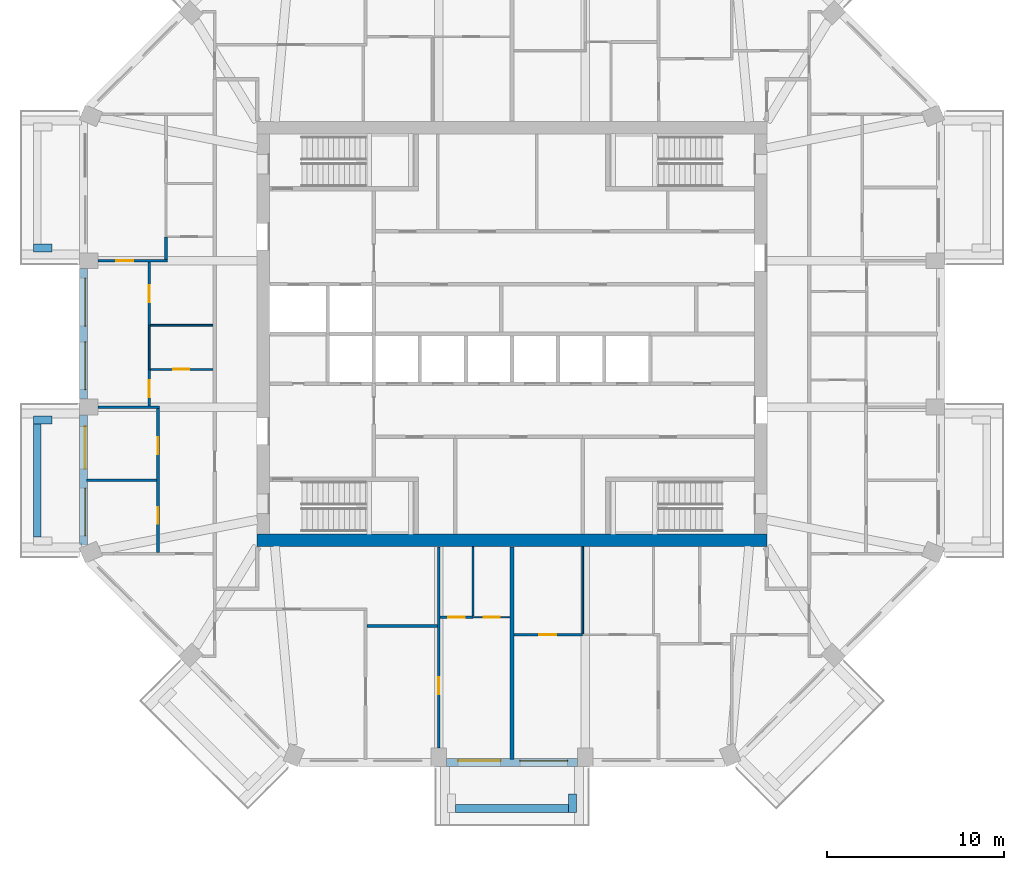
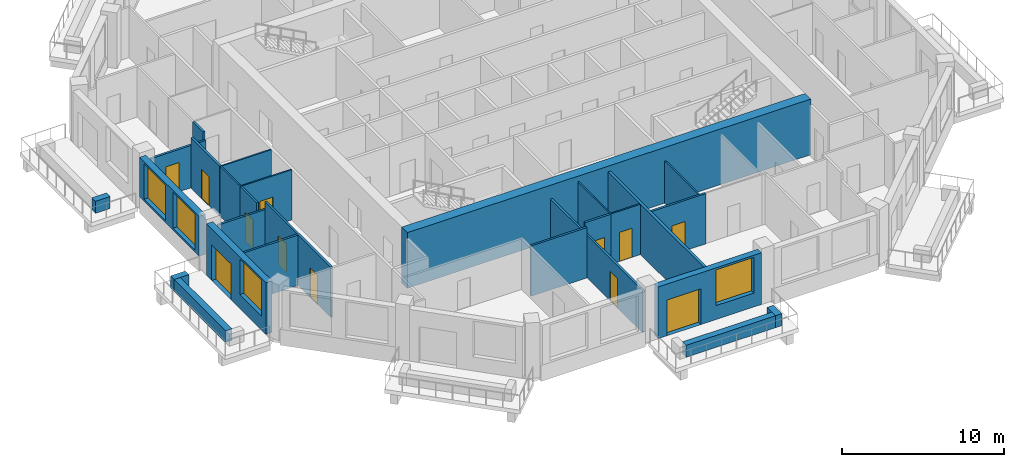
# One storey, part 3 of 12: 27 walls, 12 doors, 4 windows, 16 openings.
"""IFC4 building model written with IfcOpenShell, lengths in metres."""

import ifcopenshell
import ifcopenshell.guid

model = None  # the IFC model being written
_history = None  # IfcOwnerHistory: only IFC2X3 demands one
_inside = {}  # id of a spatial element -> (the spatial element, [elements in it])
_under = {}  # id of a project, library or spatial element -> (it, [spatial elements below it])
_declared = {}  # id of a project -> (the project, [libraries it declares])
_typed = {}  # id of a type object -> (the type object, [elements of that type])
_made_of = {}  # id of a material, layer set ... -> (it, [elements and type objects made of it])


def new_model(schema):
    """Start an empty IFC model of exactly this schema.

    Asked for "IFC4X3", IfcOpenShell would pick the latest addendum, in which some entities
    have other attributes; the version numbers below select the first issue.
    IFC2X3 requires an IfcOwnerHistory on every rooted entity: one is made here for all.
    """
    global model, _history
    if schema == "IFC4X3":
        model = ifcopenshell.file(schema_version=(4, 3, 0, 0))
    else:
        model = ifcopenshell.file(schema=schema)
    _inside.clear()
    _under.clear()
    _declared.clear()
    _typed.clear()
    _made_of.clear()
    _history = None
    if model.schema == "IFC2X3":
        org = make("IfcOrganization", Name="unknown")
        user = make(
            "IfcPersonAndOrganization",
            ThePerson=make("IfcPerson", FamilyName="unknown"),
            TheOrganization=org,
        )
        app = make(
            "IfcApplication",
            ApplicationDeveloper=org,
            Version="unknown",
            ApplicationFullName="unknown",
            ApplicationIdentifier="unknown",
        )
        _history = make(
            "IfcOwnerHistory",
            OwningUser=user,
            OwningApplication=app,
            ChangeAction="ADDED",
            CreationDate=0,
        )
    return model


def make(cls, **values):
    """One entity of the class cls with the attributes given. An attribute that is None is left unset."""
    return model.create_entity(
        cls, **{name: value for name, value in values.items() if value is not None}
    )


def rooted(cls, **values):
    """An entity with a GlobalId (a new one), such as an element, a storey or a relation."""
    return make(cls, GlobalId=ifcopenshell.guid.new(), OwnerHistory=_history, **values)


def si_unit(unit_type, name, prefix=None):
    """IfcSIUnit, for example si_unit("LENGTHUNIT", "METRE", prefix="MILLI")."""
    return make("IfcSIUnit", UnitType=unit_type, Prefix=prefix, Name=name)


def assignment(units):
    """IfcUnitAssignment: the units of a project."""
    return None if units is None else make("IfcUnitAssignment", Units=units)


def point(xyz):
    """IfcCartesianPoint."""
    return None if xyz is None else make("IfcCartesianPoint", Coordinates=xyz)


def direction(xyz):
    """IfcDirection."""
    return None if xyz is None else make("IfcDirection", DirectionRatios=xyz)


def frame(location, z_axis=None, x_axis=None):
    """IfcAxis2Placement3D, a coordinate frame: its origin and axes. An axis left out is left unset."""
    return make(
        "IfcAxis2Placement3D",
        Location=point(location),
        Axis=direction(z_axis),
        RefDirection=direction(x_axis),
    )


def frame_2d(location, x_axis=None):
    """IfcAxis2Placement2D, a coordinate frame in the plane: its origin and x axis."""
    return make(
        "IfcAxis2Placement2D", Location=point(location), RefDirection=direction(x_axis)
    )


def origin():
    """The frame at (0, 0, 0) with its axes left unset."""
    return frame((0.0, 0.0, 0.0))


def place(relative_to, where):
    """IfcLocalPlacement: puts the frame where relative to a parent placement (None: the world)."""
    return make(
        "IfcLocalPlacement", PlacementRelTo=relative_to, RelativePlacement=where
    )


def context(
    kind, dimensions, precision=None, world=None, true_north=None, identifier=None
):
    """IfcGeometricRepresentationContext, for example the 3D "Model" context."""
    return make(
        "IfcGeometricRepresentationContext",
        ContextIdentifier=identifier,
        ContextType=kind,
        CoordinateSpaceDimension=dimensions,
        Precision=precision,
        WorldCoordinateSystem=world,
        TrueNorth=true_north,
    )


def subcontext(parent, identifier, kind, view, scale=None):
    """IfcGeometricRepresentationSubContext, for example "Body" below "Model"."""
    return make(
        "IfcGeometricRepresentationSubContext",
        ContextIdentifier=identifier,
        ContextType=kind,
        ParentContext=parent,
        TargetScale=scale,
        TargetView=view,
    )


def project(units=None, contexts=None):
    """IfcProject with its units and contexts."""
    return rooted(
        "IfcProject",
        Name="project",
        RepresentationContexts=contexts,
        UnitsInContext=assignment(units),
    )


def spatial(cls, under=None, at=None, **own):
    """A site, building, storey or space (cls), placed at a placement, below another one or the project."""
    s = rooted(cls, ObjectPlacement=at, **own)
    if under is not None:
        _under.setdefault(under.id(), (under, []))[1].append(s)
    return s


def profile(cls, at=None, kind="AREA", **sizes):
    """A parametric profile (cls). Its sizes go by their IFC names, for example OverallWidth=200.0."""
    return make(cls, ProfileType=kind, Position=at, **sizes)


def rectangle(**sizes):
    """IfcRectangleProfileDef."""
    return profile("IfcRectangleProfileDef", **sizes)


def extrude(swept, where, along, depth):
    """IfcExtrudedAreaSolid: the profile swept, set in the frame where, extruded along a direction by depth."""
    return make(
        "IfcExtrudedAreaSolid",
        SweptArea=swept,
        Position=where,
        ExtrudedDirection=direction(along),
        Depth=depth,
    )


def shape(context_of_items, identifier, shape_type, items):
    """IfcShapeRepresentation: the items that make up one representation, for example the "Body"."""
    return make(
        "IfcShapeRepresentation",
        ContextOfItems=context_of_items,
        RepresentationIdentifier=identifier,
        RepresentationType=shape_type,
        Items=items,
    )


def material(Name=None, Category=None):
    """IfcMaterial."""
    return make("IfcMaterial", Name=Name, Category=Category)


def layer(
    of_material, thickness, ventilated=None, Name=None, Category=None, Priority=None
):
    """IfcMaterialLayer: one layer of a wall or slab, of a material (None: an air gap)."""
    return make(
        "IfcMaterialLayer",
        Material=of_material,
        LayerThickness=thickness,
        IsVentilated=ventilated,
        Name=Name,
        Category=Category,
        Priority=Priority,
    )


def layer_set(layers, Name=None):
    """IfcMaterialLayerSet."""
    return make("IfcMaterialLayerSet", MaterialLayers=layers, LayerSetName=Name)


def made_of(thing, what):
    """Note that an element or type object is made of a material, layer set ...; save() writes the relation."""
    if what is not None:
        _made_of.setdefault(what.id(), (what, []))[1].append(thing)
    return thing


def type_object(cls, material=None, **own):
    """A type object (cls), such as IfcWallType, which elements share."""
    return made_of(rooted(cls, **own), material)


def element(
    cls,
    number,
    at=None,
    inside=None,
    cuts=None,
    type_object=None,
    material=None,
    context=None,
    identifier="Body",
    shape_type=None,
    held_by="IfcProductDefinitionShape",
    body=None,
    shapes=None,
    **own,
):
    """One element of the class cls, such as IfcWall. Its Tag is "e" and its number.

    at: its placement. inside: the storey or other place that contains it. cuts: it is an
    opening in that element (IfcRelVoidsElement). A single representation is given by context,
    identifier, shape_type and body (its items); several are given by shapes. held_by: the class
    of the entity that holds the representations. save() writes the other relations.
    """
    e = rooted(cls, Tag="e%d" % number, ObjectPlacement=at, **own)
    if body is not None:
        shapes = [shape(context, identifier, shape_type, body)]
    if shapes is not None:
        e.Representation = make(held_by, Representations=shapes)
    if inside is not None:
        _inside.setdefault(inside.id(), (inside, []))[1].append(e)
    if cuts is not None:
        rooted(
            "IfcRelVoidsElement", RelatingBuildingElement=cuts, RelatedOpeningElement=e
        )
    if type_object is not None:
        _typed.setdefault(type_object.id(), (type_object, []))[1].append(e)
    return made_of(e, material)


def fill(opening, filler):
    """IfcRelFillsElement: the door or window that sits in an opening."""
    return rooted(
        "IfcRelFillsElement",
        RelatingOpeningElement=opening,
        RelatedBuildingElement=filler,
    )


def aggregate(whole, parts):
    """IfcRelAggregates: a whole, such as a stair, and the parts it consists of."""
    return rooted("IfcRelAggregates", RelatingObject=whole, RelatedObjects=parts)


def save(model, path):
    """Write the relations noted so far, then the file.

    IfcRelAggregates (storeys below a building ...), IfcRelContainedInSpatialStructure (elements
    in a storey), IfcRelDefinesByType, IfcRelAssociatesMaterial and IfcRelDeclares: one each for
    every whole, place, type object, material and project.
    """
    for whole, parts in _under.values():
        aggregate(whole, parts)
    for where, things in _inside.values():
        rooted(
            "IfcRelContainedInSpatialStructure",
            RelatedElements=things,
            RelatingStructure=where,
        )
    for kind, things in _typed.values():
        rooted("IfcRelDefinesByType", RelatedObjects=things, RelatingType=kind)
    for what, things in _made_of.values():
        rooted("IfcRelAssociatesMaterial", RelatedObjects=things, RelatingMaterial=what)
    for by, libraries in _declared.values():
        rooted("IfcRelDeclares", RelatingContext=by, RelatedDefinitions=libraries)
    model.write(path)


model = new_model("IFC4")

# Units and contexts
model_context = context("Model", 3, precision=1e-05, world=origin(), true_north=direction((0.0, 1.0)))
body_context = subcontext(model_context, "Body", "Model", "MODEL_VIEW")
ifc_project = project(units=[si_unit("LENGTHUNIT", "METRE"), si_unit("AREAUNIT", "SQUARE_METRE"), si_unit("VOLUMEUNIT", "CUBIC_METRE"), si_unit("PLANEANGLEUNIT", "RADIAN"), si_unit("MASSUNIT", "GRAM", prefix="KILO")], contexts=[model_context])

# Site, building, storey
site_placement = place(None, origin())
site = spatial("IfcSite", under=ifc_project, at=site_placement, CompositionType="ELEMENT")
building_placement = place(site_placement, origin())
building = spatial("IfcBuilding", under=site, at=building_placement, Name="Msitu Wima Residences", CompositionType="ELEMENT")
storey_placement = place(building_placement, frame((0.0, 0.0, 200.10009765625)))
storey = spatial("IfcBuildingStorey", under=building, at=storey_placement, Name="L46", CompositionType="ELEMENT", Elevation=200.10009765625)

# Walls
ifc_material_1 = material(Name="Facing brick")
ifc_layer_1 = layer(ifc_material_1, 0.06494140625, Name="Facing brick")
ifc_material_2 = material(Name="Concrete C40/50", Category="concrete")
ifc_layer_2 = layer(ifc_material_2, 0.156005859375, Name="Concrete C40/50")
ifc_material_3 = material(Name="Waterproofing membrane")
ifc_layer_3 = layer(ifc_material_3, 0.00390625, Name="Waterproofing membrane")
ifc_material_4 = material(Name="Planting soil and planting")
ifc_layer_4 = layer(ifc_material_4, 0.22509765625, Name="Planting soil and planting")
ifc_layer_set_1 = layer_set([ifc_layer_1, ifc_layer_2, ifc_layer_3, ifc_layer_4], Name="Concrete C40/50")
wall_type_1 = type_object("IfcWallType", Name="Balcony planter PLANTER PL450", PredefinedType="USERDEFINED", material=ifc_layer_set_1)
wall_1_placement = place(storey_placement, frame((-26.0, 4.8623046875, 0.0), z_axis=(0.0, 0.0, 1.0), x_axis=(-1.0, 0.0, 0.0)))
element("IfcWall", 1, at=wall_1_placement, inside=storey, type_object=wall_type_1, Name="Balcony planter W0 L46", ObjectType="PLANTER", PredefinedType="USERDEFINED", context=body_context, shape_type="SweptSolid", body=[
    extrude(rectangle(XDim=1.050048828125, YDim=0.449951171875, at=frame_2d((0.52490234375, 0.0))), origin(), (0.0, 0.0, 1.0), 0.89990234375),
])
wall_2_placement = place(storey_placement, frame((-26.824951171875, -5.087158203125, 0.0), z_axis=(0.0, 0.0, 1.0), x_axis=(0.0, -1.0, 0.0)))
element("IfcWall", 2, at=wall_2_placement, inside=storey, type_object=wall_type_1, Name="Balcony planter W2 L46", ObjectType="PLANTER", PredefinedType="USERDEFINED", context=body_context, shape_type="SweptSolid", body=[
    extrude(rectangle(XDim=6.37451171875, YDim=0.449951171875, at=frame_2d((3.187255859375, 0.0))), origin(), (0.0, 0.0, 1.0), 0.89990234375),
])
wall_3_placement = place(storey_placement, frame((-26.0, -4.8623046875, 0.0), z_axis=(0.0, 0.0, 1.0), x_axis=(-1.0, 0.0, 0.0)))
element("IfcWall", 3, at=wall_3_placement, inside=storey, type_object=wall_type_1, Name="Balcony planter W2 L46", ObjectType="PLANTER", PredefinedType="USERDEFINED", context=body_context, shape_type="SweptSolid", body=[
    extrude(rectangle(XDim=1.050048828125, YDim=0.449951171875, at=frame_2d((0.52490234375, 0.0))), origin(), (0.0, 0.0, 1.0), 0.89990234375),
])
wall_4_placement = place(storey_placement, frame((-3.187255859375, -26.824951171875, 0.0), z_axis=(0.0, 0.0, 1.0), x_axis=(1.0, 0.0, 0.0)))
element("IfcWall", 4, at=wall_4_placement, inside=storey, type_object=wall_type_1, Name="Balcony planter S1 L46", ObjectType="PLANTER", PredefinedType="USERDEFINED", context=body_context, shape_type="SweptSolid", body=[
    extrude(rectangle(XDim=6.37451171875, YDim=0.449951171875, at=frame_2d((3.187255859375, 0.0))), origin(), (0.0, 0.0, 1.0), 0.89990234375),
])
wall_5_placement = place(storey_placement, frame((3.412353515625, -26.0, 0.0), z_axis=(0.0, 0.0, 1.0), x_axis=(0.0, -1.0, 0.0)))
element("IfcWall", 5, at=wall_5_placement, inside=storey, type_object=wall_type_1, Name="Balcony planter S1 L46", ObjectType="PLANTER", PredefinedType="USERDEFINED", context=body_context, shape_type="SweptSolid", body=[
    extrude(rectangle(XDim=1.050048828125, YDim=0.449951171875, at=frame_2d((0.52490234375, 0.0))), origin(), (0.0, 0.0, 1.0), 0.89990234375),
])

# Wall, openings, windows
ifc_material_5 = material(Name="Brick (red buff mix)", Category="masonry")
ifc_layer_5 = layer(ifc_material_5, 0.449951171875)
ifc_layer_set_2 = layer_set([ifc_layer_5], Name="Brick (red buff mix)")
wall_type_2 = type_object("IfcWallType", Name="Brick infill wall BW450", PredefinedType="SOLIDWALL", material=ifc_layer_set_2)
wall_6_placement = place(storey_placement, frame((-24.22509765625, 3.687255859375, 0.89990234375), z_axis=(0.0, 0.0, 1.0), x_axis=(0.0, -1.0, 0.0)))
wall_6 = element("IfcWall", 6, at=wall_6_placement, inside=storey, type_object=wall_type_2, Name="Brick infill wall L46 W1", PredefinedType="SOLIDWALL", context=body_context, shape_type="SweptSolid", body=[
    extrude(rectangle(XDim=7.37451171875, YDim=0.449951171875, at=frame_2d((3.687255859375, 0.0))), origin(), (0.0, 0.0, 1.0), 3.0),
])
opening_1_placement = place(wall_6_placement, frame((0.537353515625, 0.0, 0.14990234375)))
opening_1 = element("IfcOpeningElement", 7, at=opening_1_placement, cuts=wall_6, Name="Opening W46.028", PredefinedType="OPENING", context=body_context, shape_type="SweptSolid", body=[
    extrude(rectangle(XDim=2.699951171875, YDim=2.699951171875, at=frame_2d((1.35009765625, 1.35009765625))), frame((0.0, 0.23486328125, 0.0), z_axis=(0.0, -1.0, 0.0), x_axis=(1.0, 0.0, 0.0)), (0.0, 0.0, 1.0), 0.469970703125),
])
opening_2_placement = place(wall_6_placement, frame((4.13720703125, 0.0, 0.14990234375)))
opening_2 = element("IfcOpeningElement", 8, at=opening_2_placement, cuts=wall_6, Name="Opening W46.029", PredefinedType="OPENING", context=body_context, shape_type="SweptSolid", body=[
    extrude(rectangle(XDim=2.699951171875, YDim=2.699951171875, at=frame_2d((1.35009765625, 1.35009765625))), frame((0.0, 0.23486328125, 0.0), z_axis=(0.0, -1.0, 0.0), x_axis=(1.0, 0.0, 0.0)), (0.0, 0.0, 1.0), 0.469970703125),
])
ifc_material_6 = material(Name="Anodised aluminium, bronze finish, clear low-emissivity double glazing", Category="aluminium")
window_type = type_object("IfcWindowType", Name="Window W2700x2700", PartitioningType="DOUBLE_PANEL_VERTICAL", PredefinedType="WINDOW", material=ifc_material_6)
window_1_placement = place(opening_1_placement, origin())
window_1 = element("IfcWindow", 9, at=window_1_placement, inside=storey, type_object=window_type, Name="Window L46 W1.1", OverallHeight=2.699951171875, OverallWidth=2.699951171875, PartitioningType="SINGLE_PANEL", PredefinedType="WINDOW", context=body_context, shape_type="SweptSolid", body=[
    extrude(rectangle(XDim=2.699951171875, YDim=2.699951171875, at=frame_2d((1.35009765625, 1.35009765625))), frame((0.0, 0.135009765625, 0.0), z_axis=(0.0, -1.0, 0.0), x_axis=(1.0, 0.0, 0.0)), (0.0, 0.0, 1.0), 0.06005859375),
])
fill(opening_1, window_1)
window_2_placement = place(opening_2_placement, origin())
window_2 = element("IfcWindow", 10, at=window_2_placement, inside=storey, type_object=window_type, Name="Window L46 W1.2", OverallHeight=2.699951171875, OverallWidth=2.699951171875, PartitioningType="SINGLE_PANEL", PredefinedType="WINDOW", context=body_context, shape_type="SweptSolid", body=[
    extrude(rectangle(XDim=2.699951171875, YDim=2.699951171875, at=frame_2d((1.35009765625, 1.35009765625))), frame((0.0, 0.135009765625, 0.0), z_axis=(0.0, -1.0, 0.0), x_axis=(1.0, 0.0, 0.0)), (0.0, 0.0, 1.0), 0.06005859375),
])
fill(opening_2, window_2)

# Wall, openings, door, window
wall_7_placement = place(storey_placement, frame((-24.22509765625, -4.587158203125, 0.0), z_axis=(0.0, 0.0, 1.0), x_axis=(0.0, -1.0, 0.0)))
wall_7 = element("IfcWall", 11, at=wall_7_placement, inside=storey, type_object=wall_type_2, Name="Brick infill wall L46 W2", PredefinedType="SOLIDWALL", context=body_context, shape_type="SweptSolid", body=[
    extrude(rectangle(XDim=7.337646484375, YDim=0.449951171875, at=frame_2d((3.6689453125, 0.0))), origin(), (0.0, 0.0, 1.0), 3.89990234375),
])
opening_3_placement = place(wall_7_placement, frame((0.63427734375, 0.0, 0.0)))
opening_3 = element("IfcOpeningElement", 12, at=opening_3_placement, cuts=wall_7, Name="Opening D46.010", PredefinedType="OPENING", context=body_context, shape_type="SweptSolid", body=[
    extrude(rectangle(XDim=2.39990234375, YDim=2.699951171875, at=frame_2d((1.199951171875, 1.35009765625))), frame((0.0, 0.23486328125, 0.0), z_axis=(0.0, -1.0, 0.0), x_axis=(1.0, 0.0, 0.0)), (0.0, 0.0, 1.0), 0.469970703125),
])
opening_4_placement = place(wall_7_placement, frame((4.11865234375, 0.0, 1.050048828125)))
opening_4 = element("IfcOpeningElement", 13, at=opening_4_placement, cuts=wall_7, Name="Opening W46.030", PredefinedType="OPENING", context=body_context, shape_type="SweptSolid", body=[
    extrude(rectangle(XDim=2.699951171875, YDim=2.699951171875, at=frame_2d((1.35009765625, 1.35009765625))), frame((0.0, 0.23486328125, 0.0), z_axis=(0.0, -1.0, 0.0), x_axis=(1.0, 0.0, 0.0)), (0.0, 0.0, 1.0), 0.469970703125),
])
door_type_1 = type_object("IfcDoorType", Name="Balcony door D2400x2700", OperationType="SLIDING_TO_LEFT", PredefinedType="DOOR", material=ifc_material_6)
door_1_placement = place(opening_3_placement, origin())
door_1 = element("IfcDoor", 14, at=door_1_placement, inside=storey, type_object=door_type_1, Name="Balcony door L46 W2", OperationType="SINGLE_SWING_LEFT", OverallHeight=2.699951171875, OverallWidth=2.39990234375, PredefinedType="DOOR", context=body_context, shape_type="SweptSolid", body=[
    extrude(rectangle(XDim=2.39990234375, YDim=2.699951171875, at=frame_2d((1.199951171875, 1.35009765625))), frame((0.0, 0.1298828125, 0.0), z_axis=(0.0, -1.0, 0.0), x_axis=(1.0, 0.0, 0.0)), (0.0, 0.0, 1.0), 0.050048828125),
])
fill(opening_3, door_1)
window_3_placement = place(opening_4_placement, origin())
window_3 = element("IfcWindow", 15, at=window_3_placement, inside=storey, type_object=window_type, Name="Window L46 W2.2", OverallHeight=2.699951171875, OverallWidth=2.699951171875, PartitioningType="SINGLE_PANEL", PredefinedType="WINDOW", context=body_context, shape_type="SweptSolid", body=[
    extrude(rectangle(XDim=2.699951171875, YDim=2.699951171875, at=frame_2d((1.35009765625, 1.35009765625))), frame((0.0, 0.135009765625, 0.0), z_axis=(0.0, -1.0, 0.0), x_axis=(1.0, 0.0, 0.0)), (0.0, 0.0, 1.0), 0.06005859375),
])
fill(opening_4, window_3)

wall_8_placement = place(storey_placement, frame((-3.687255859375, -24.22509765625, 0.0), z_axis=(0.0, 0.0, 1.0), x_axis=(1.0, 0.0, 0.0)))
wall_8 = element("IfcWall", 16, at=wall_8_placement, inside=storey, type_object=wall_type_2, Name="Brick infill wall L46 S1", PredefinedType="SOLIDWALL", context=body_context, shape_type="SweptSolid", body=[
    extrude(rectangle(XDim=7.37451171875, YDim=0.449951171875, at=frame_2d((3.687255859375, 0.0))), origin(), (0.0, 0.0, 1.0), 3.89990234375),
])
opening_5_placement = place(wall_8_placement, frame((0.6435546875, 0.0, 0.0)))
opening_5 = element("IfcOpeningElement", 17, at=opening_5_placement, cuts=wall_8, Name="Opening D46.006", PredefinedType="OPENING", context=body_context, shape_type="SweptSolid", body=[
    extrude(rectangle(XDim=2.39990234375, YDim=2.699951171875, at=frame_2d((1.199951171875, 1.35009765625))), frame((0.0, 0.23486328125, 0.0), z_axis=(0.0, -1.0, 0.0), x_axis=(1.0, 0.0, 0.0)), (0.0, 0.0, 1.0), 0.469970703125),
])
opening_6_placement = place(wall_8_placement, frame((4.13720703125, 0.0, 1.050048828125)))
opening_6 = element("IfcOpeningElement", 18, at=opening_6_placement, cuts=wall_8, Name="Opening W46.018", PredefinedType="OPENING", context=body_context, shape_type="SweptSolid", body=[
    extrude(rectangle(XDim=2.699951171875, YDim=2.699951171875, at=frame_2d((1.35009765625, 1.35009765625))), frame((0.0, 0.23486328125, 0.0), z_axis=(0.0, -1.0, 0.0), x_axis=(1.0, 0.0, 0.0)), (0.0, 0.0, 1.0), 0.469970703125),
])
door_2_placement = place(opening_5_placement, origin())
door_2 = element("IfcDoor", 19, at=door_2_placement, inside=storey, type_object=door_type_1, Name="Balcony door L46 S1", OperationType="SINGLE_SWING_LEFT", OverallHeight=2.699951171875, OverallWidth=2.39990234375, PredefinedType="DOOR", context=body_context, shape_type="SweptSolid", body=[
    extrude(rectangle(XDim=2.39990234375, YDim=2.699951171875, at=frame_2d((1.199951171875, 1.35009765625))), frame((0.0, 0.1298828125, 0.0), z_axis=(0.0, -1.0, 0.0), x_axis=(1.0, 0.0, 0.0)), (0.0, 0.0, 1.0), 0.050048828125),
])
fill(opening_5, door_2)
window_4_placement = place(opening_6_placement, origin())
window_4 = element("IfcWindow", 20, at=window_4_placement, inside=storey, type_object=window_type, Name="Window L46 S1.2", OverallHeight=2.699951171875, OverallWidth=2.699951171875, PartitioningType="SINGLE_PANEL", PredefinedType="WINDOW", context=body_context, shape_type="SweptSolid", body=[
    extrude(rectangle(XDim=2.699951171875, YDim=2.699951171875, at=frame_2d((1.35009765625, 1.35009765625))), frame((0.0, 0.135009765625, 0.0), z_axis=(0.0, -1.0, 0.0), x_axis=(1.0, 0.0, 0.0)), (0.0, 0.0, 1.0), 0.06005859375),
])
fill(opening_6, window_4)

# Walls
ifc_material_7 = material(Name="Concrete C60/75", Category="concrete")
ifc_layer_6 = layer(ifc_material_7, 0.699951171875)
ifc_layer_set_3 = layer_set([ifc_layer_6], Name="Concrete C60/75")
wall_type_3 = type_object("IfcWallType", Name="Core wall CW700 C60/75", PredefinedType="SHEAR", material=ifc_layer_set_3)
wall_9_placement = place(storey_placement, frame((-14.39990234375, -11.64990234375, 0.0), z_axis=(0.0, 0.0, 1.0), x_axis=(1.0, 0.0, 0.0)))
element("IfcWall", 21, at=wall_9_placement, inside=storey, type_object=wall_type_3, Name="Core wall", PredefinedType="SHEAR", context=body_context, shape_type="SweptSolid", body=[
    extrude(rectangle(XDim=28.7998046875, YDim=0.699951171875, at=frame_2d((14.39990234375, 0.0))), origin(), (0.0, 0.0, 1.0), 4.199951171875),
])
ifc_material_8 = material(Name="Plaster")
ifc_layer_7 = layer(ifc_material_8, 0.011962890625, Name="Plaster")
ifc_material_9 = material(Name="Concrete blockwork", Category="masonry")
ifc_layer_8 = layer(ifc_material_9, 0.1259765625, Name="Concrete blockwork")
ifc_layer_9 = layer(ifc_material_8, 0.011962890625, Name="Plaster")
ifc_layer_set_4 = layer_set([ifc_layer_7, ifc_layer_8, ifc_layer_9], Name="Concrete blockwork")
wall_type_4 = type_object("IfcWallType", Name="Partition PW150", PredefinedType="PARTITIONING", material=ifc_layer_set_4)
wall_10_placement = place(storey_placement, frame((-24.054931640625, -8.27001953125, 0.0), z_axis=(0.0, 0.0, 1.0), x_axis=(1.0, 0.0, 0.0)))
element("IfcWall", 22, at=wall_10_placement, inside=storey, type_object=wall_type_4, Name="Partition", PredefinedType="PARTITIONING", context=body_context, shape_type="SweptSolid", body=[
    extrude(rectangle(XDim=3.97998046875, YDim=0.14990234375, at=frame_2d((1.989990234375, 0.0))), origin(), (0.0, 0.0, 1.0), 3.7978515625),
])
wall_11_placement = place(storey_placement, frame((-23.39990234375, -4.139892578125, 0.0), z_axis=(0.0, 0.0, 1.0), x_axis=(1.0, 0.0, 0.0)))
element("IfcWall", 23, at=wall_11_placement, inside=storey, type_object=wall_type_4, Name="Partition", PredefinedType="PARTITIONING", context=body_context, shape_type="SweptSolid", body=[
    extrude(rectangle(XDim=3.474853515625, YDim=0.14990234375, at=frame_2d((1.7373046875, 0.0))), origin(), (0.0, 0.0, 1.0), 3.199951171875),
])

# Wall, opening, door
wall_12_placement = place(storey_placement, frame((-23.39990234375, 4.139892578125, 0.0), z_axis=(0.0, 0.0, 1.0), x_axis=(1.0, 0.0, 0.0)))
wall_12 = element("IfcWall", 24, at=wall_12_placement, inside=storey, type_object=wall_type_4, Name="Partition", PredefinedType="PARTITIONING", context=body_context, shape_type="SweptSolid", body=[
    extrude(rectangle(XDim=3.9248046875, YDim=0.14990234375, at=frame_2d((1.96240234375, 0.0))), origin(), (0.0, 0.0, 1.0), 3.199951171875),
])
opening_7_placement = place(wall_12_placement, frame((1.050048828125, 0.0, 0.0)))
opening_7 = element("IfcOpeningElement", 25, at=opening_7_placement, cuts=wall_12, Name="Opening D46.042", PredefinedType="OPENING", context=body_context, shape_type="SweptSolid", body=[
    extrude(rectangle(XDim=0.949951171875, YDim=2.199951171875, at=frame_2d((0.47509765625, 1.10009765625))), frame((0.0, 0.0849609375, 0.0), z_axis=(0.0, -1.0, 0.0), x_axis=(1.0, 0.0, 0.0)), (0.0, 0.0, 1.0), 0.169921875),
])
ifc_material_10 = material(Name="Timber flush door", Category="wood")
door_type_2 = type_object("IfcDoorType", Name="Room door D12 950x2200", OperationType="SINGLE_SWING_LEFT", PredefinedType="DOOR", material=ifc_material_10)
door_3_placement = place(opening_7_placement, origin())
door_3 = element("IfcDoor", 26, at=door_3_placement, inside=storey, type_object=door_type_2, Name="Room door", OperationType="SINGLE_SWING_LEFT", OverallHeight=2.199951171875, OverallWidth=0.949951171875, PredefinedType="DOOR", context=body_context, shape_type="SweptSolid", body=[
    extrude(rectangle(XDim=0.949951171875, YDim=2.199951171875, at=frame_2d((0.47509765625, 1.10009765625))), frame((0.0, 0.02490234375, 0.0), z_axis=(0.0, -1.0, 0.0), x_axis=(1.0, 0.0, 0.0)), (0.0, 0.0, 1.0), 0.050048828125),
])
fill(opening_7, door_3)

wall_13_placement = place(storey_placement, frame((-20.5, -4.06494140625, 0.0), z_axis=(0.0, 0.0, 1.0), x_axis=(0.0, 1.0, 0.0)))
wall_13 = element("IfcWall", 27, at=wall_13_placement, inside=storey, type_object=wall_type_4, Name="Partition", PredefinedType="PARTITIONING", context=body_context, shape_type="SweptSolid", body=[
    extrude(rectangle(XDim=2.044921875, YDim=0.14990234375, at=frame_2d((1.0224609375, 0.0))), origin(), (0.0, 0.0, 1.0), 3.7978515625),
])
opening_8_placement = place(wall_13_placement, frame((0.5, 0.0, 0.0)))
opening_8 = element("IfcOpeningElement", 28, at=opening_8_placement, cuts=wall_13, Name="Opening D46.041", PredefinedType="OPENING", context=body_context, shape_type="SweptSolid", body=[
    extrude(rectangle(XDim=0.949951171875, YDim=2.199951171875, at=frame_2d((0.47509765625, 1.10009765625))), frame((0.0, 0.0849609375, 0.0), z_axis=(0.0, -1.0, 0.0), x_axis=(1.0, 0.0, 0.0)), (0.0, 0.0, 1.0), 0.169921875),
])
door_4_placement = place(opening_8_placement, origin())
door_4 = element("IfcDoor", 29, at=door_4_placement, inside=storey, type_object=door_type_2, Name="Room door", OperationType="SINGLE_SWING_LEFT", OverallHeight=2.199951171875, OverallWidth=0.949951171875, PredefinedType="DOOR", context=body_context, shape_type="SweptSolid", body=[
    extrude(rectangle(XDim=0.949951171875, YDim=2.199951171875, at=frame_2d((0.47509765625, 1.10009765625))), frame((0.0, 0.02490234375, 0.0), z_axis=(0.0, -1.0, 0.0), x_axis=(1.0, 0.0, 0.0)), (0.0, 0.0, 1.0), 0.050048828125),
])
fill(opening_8, door_4)

wall_14_placement = place(storey_placement, frame((-20.5, 0.5, 0.0), z_axis=(0.0, 0.0, 1.0), x_axis=(0.0, 1.0, 0.0)))
wall_14 = element("IfcWall", 30, at=wall_14_placement, inside=storey, type_object=wall_type_4, Name="Partition", PredefinedType="PARTITIONING", context=body_context, shape_type="SweptSolid", body=[
    extrude(rectangle(XDim=3.56494140625, YDim=0.14990234375, at=frame_2d((1.782470703125, 0.0))), origin(), (0.0, 0.0, 1.0), 3.7978515625),
])
opening_9_placement = place(wall_14_placement, frame((1.300048828125, 0.0, 0.0)))
opening_9 = element("IfcOpeningElement", 31, at=opening_9_placement, cuts=wall_14, Name="Opening D46.027", PredefinedType="OPENING", context=body_context, shape_type="SweptSolid", body=[
    extrude(rectangle(XDim=0.949951171875, YDim=2.199951171875, at=frame_2d((0.47509765625, 1.10009765625))), frame((0.0, 0.0849609375, 0.0), z_axis=(0.0, -1.0, 0.0), x_axis=(1.0, 0.0, 0.0)), (0.0, 0.0, 1.0), 0.169921875),
])
door_5_placement = place(opening_9_placement, origin())
door_5 = element("IfcDoor", 32, at=door_5_placement, inside=storey, type_object=door_type_2, Name="Room door", OperationType="SINGLE_SWING_RIGHT", OverallHeight=2.199951171875, OverallWidth=0.949951171875, PredefinedType="DOOR", context=body_context, shape_type="SweptSolid", body=[
    extrude(rectangle(XDim=0.949951171875, YDim=2.199951171875, at=frame_2d((0.47509765625, 1.10009765625))), frame((0.0, 0.02490234375, 0.0), z_axis=(0.0, -1.0, 0.0), x_axis=(1.0, 0.0, 0.0)), (0.0, 0.0, 1.0), 0.050048828125),
])
fill(opening_9, door_5)

# Wall, openings, doors
wall_15_placement = place(storey_placement, frame((-20.0, -12.3349609375, 0.0), z_axis=(0.0, 0.0, 1.0), x_axis=(0.0, 1.0, 0.0)))
wall_15 = element("IfcWall", 33, at=wall_15_placement, inside=storey, type_object=wall_type_4, Name="Partition", PredefinedType="PARTITIONING", context=body_context, shape_type="SweptSolid", body=[
    extrude(rectangle(XDim=8.119873046875, YDim=0.14990234375, at=frame_2d((4.06005859375, 0.0))), origin(), (0.0, 0.0, 1.0), 3.7978515625),
])
opening_10_placement = place(wall_15_placement, frame((1.60009765625, 0.0, 0.0)))
opening_10 = element("IfcOpeningElement", 34, at=opening_10_placement, cuts=wall_15, Name="Opening D46.039", PredefinedType="OPENING", context=body_context, shape_type="SweptSolid", body=[
    extrude(rectangle(XDim=0.949951171875, YDim=2.199951171875, at=frame_2d((0.47509765625, 1.10009765625))), frame((0.0, 0.0849609375, 0.0), z_axis=(0.0, -1.0, 0.0), x_axis=(1.0, 0.0, 0.0)), (0.0, 0.0, 1.0), 0.169921875),
])
opening_11_placement = place(wall_15_placement, frame((5.550048828125, 0.0, 0.0)))
opening_11 = element("IfcOpeningElement", 35, at=opening_11_placement, cuts=wall_15, Name="Opening D46.040", PredefinedType="OPENING", context=body_context, shape_type="SweptSolid", body=[
    extrude(rectangle(XDim=0.949951171875, YDim=2.199951171875, at=frame_2d((0.47509765625, 1.10009765625))), frame((0.0, 0.0849609375, 0.0), z_axis=(0.0, -1.0, 0.0), x_axis=(1.0, 0.0, 0.0)), (0.0, 0.0, 1.0), 0.169921875),
])
door_6_placement = place(opening_10_placement, origin())
door_6 = element("IfcDoor", 36, at=door_6_placement, inside=storey, type_object=door_type_2, Name="Room door", OperationType="SINGLE_SWING_RIGHT", OverallHeight=2.199951171875, OverallWidth=0.949951171875, PredefinedType="DOOR", context=body_context, shape_type="SweptSolid", body=[
    extrude(rectangle(XDim=0.949951171875, YDim=2.199951171875, at=frame_2d((0.47509765625, 1.10009765625))), frame((0.0, 0.02490234375, 0.0), z_axis=(0.0, -1.0, 0.0), x_axis=(1.0, 0.0, 0.0)), (0.0, 0.0, 1.0), 0.050048828125),
])
fill(opening_10, door_6)
door_7_placement = place(opening_11_placement, origin())
door_7 = element("IfcDoor", 37, at=door_7_placement, inside=storey, type_object=door_type_2, Name="Room door", OperationType="SINGLE_SWING_LEFT", OverallHeight=2.199951171875, OverallWidth=0.949951171875, PredefinedType="DOOR", context=body_context, shape_type="SweptSolid", body=[
    extrude(rectangle(XDim=0.949951171875, YDim=2.199951171875, at=frame_2d((0.47509765625, 1.10009765625))), frame((0.0, 0.02490234375, 0.0), z_axis=(0.0, -1.0, 0.0), x_axis=(1.0, 0.0, 0.0)), (0.0, 0.0, 1.0), 0.050048828125),
])
fill(opening_11, door_7)

# Walls
wall_16_placement = place(storey_placement, frame((-19.550048828125, 4.215087890625, 0.0), z_axis=(0.0, 0.0, 1.0), x_axis=(0.0, 1.0, 0.0)))
element("IfcWall", 38, at=wall_16_placement, inside=storey, type_object=wall_type_4, Name="Partition", PredefinedType="PARTITIONING", context=body_context, shape_type="SweptSolid", body=[
    extrude(rectangle(XDim=1.264892578125, YDim=0.14990234375, at=frame_2d((0.63232421875, 0.0))), origin(), (0.0, 0.0, 1.0), 3.7978515625),
])
wall_17_placement = place(storey_placement, frame((-8.199462890625, -16.5, 0.0), z_axis=(0.0, 0.0, 1.0), x_axis=(1.0, 0.0, 0.0)))
element("IfcWall", 39, at=wall_17_placement, inside=storey, type_object=wall_type_4, Name="Partition", PredefinedType="PARTITIONING", context=body_context, shape_type="SweptSolid", body=[
    extrude(rectangle(XDim=3.9873046875, YDim=0.14990234375, at=frame_2d((1.99365234375, 0.0))), origin(), (0.0, 0.0, 1.0), 3.7978515625),
])

# Wall, opening, door
wall_18_placement = place(storey_placement, frame((-4.13720703125, -23.39990234375, 0.0), z_axis=(0.0, 0.0, 1.0), x_axis=(0.0, 1.0, 0.0)))
wall_18 = element("IfcWall", 40, at=wall_18_placement, inside=storey, type_object=wall_type_4, Name="Partition", PredefinedType="PARTITIONING", context=body_context, shape_type="SweptSolid", body=[
    extrude(rectangle(XDim=11.369873046875, YDim=0.14990234375, at=frame_2d((5.68505859375, 0.0))), origin(), (0.0, 0.0, 1.0), 3.199951171875),
])
opening_12_placement = place(wall_18_placement, frame((3.050048828125, 0.0, 0.0)))
opening_12 = element("IfcOpeningElement", 41, at=opening_12_placement, cuts=wall_18, Name="Opening D46.033", PredefinedType="OPENING", context=body_context, shape_type="SweptSolid", body=[
    extrude(rectangle(XDim=0.949951171875, YDim=2.199951171875, at=frame_2d((0.47509765625, 1.10009765625))), frame((0.0, 0.0849609375, 0.0), z_axis=(0.0, -1.0, 0.0), x_axis=(1.0, 0.0, 0.0)), (0.0, 0.0, 1.0), 0.169921875),
])
door_8_placement = place(opening_12_placement, origin())
door_8 = element("IfcDoor", 42, at=door_8_placement, inside=storey, type_object=door_type_2, Name="Room door", OperationType="SINGLE_SWING_RIGHT", OverallHeight=2.199951171875, OverallWidth=0.949951171875, PredefinedType="DOOR", context=body_context, shape_type="SweptSolid", body=[
    extrude(rectangle(XDim=0.949951171875, YDim=2.199951171875, at=frame_2d((0.47509765625, 1.10009765625))), frame((0.0, 0.02490234375, 0.0), z_axis=(0.0, -1.0, 0.0), x_axis=(1.0, 0.0, 0.0)), (0.0, 0.0, 1.0), 0.050048828125),
])
fill(opening_12, door_8)

wall_19_placement = place(storey_placement, frame((-4.062255859375, -16.0, 0.0), z_axis=(0.0, 0.0, 1.0), x_axis=(1.0, 0.0, 0.0)))
wall_19 = element("IfcWall", 43, at=wall_19_placement, inside=storey, type_object=wall_type_4, Name="Partition", PredefinedType="PARTITIONING", context=body_context, shape_type="SweptSolid", body=[
    extrude(rectangle(XDim=1.8623046875, YDim=0.14990234375, at=frame_2d((0.93115234375, 0.0))), origin(), (0.0, 0.0, 1.0), 3.7978515625),
])
opening_13_placement = place(wall_19_placement, frame((0.449951171875, 0.0, 0.0)))
opening_13 = element("IfcOpeningElement", 44, at=opening_13_placement, cuts=wall_19, Name="Opening D46.038", PredefinedType="OPENING", context=body_context, shape_type="SweptSolid", body=[
    extrude(rectangle(XDim=0.949951171875, YDim=2.199951171875, at=frame_2d((0.47509765625, 1.10009765625))), frame((0.0, 0.0849609375, 0.0), z_axis=(0.0, -1.0, 0.0), x_axis=(1.0, 0.0, 0.0)), (0.0, 0.0, 1.0), 0.169921875),
])
door_9_placement = place(opening_13_placement, origin())
door_9 = element("IfcDoor", 45, at=door_9_placement, inside=storey, type_object=door_type_2, Name="Room door", OperationType="SINGLE_SWING_RIGHT", OverallHeight=2.199951171875, OverallWidth=0.949951171875, PredefinedType="DOOR", context=body_context, shape_type="SweptSolid", body=[
    extrude(rectangle(XDim=0.949951171875, YDim=2.199951171875, at=frame_2d((0.47509765625, 1.10009765625))), frame((0.0, 0.02490234375, 0.0), z_axis=(0.0, -1.0, 0.0), x_axis=(1.0, 0.0, 0.0)), (0.0, 0.0, 1.0), 0.050048828125),
])
fill(opening_13, door_9)

wall_20_placement = place(storey_placement, frame((0.10009765625, -17.0, 0.0), z_axis=(0.0, 0.0, 1.0), x_axis=(1.0, 0.0, 0.0)))
wall_20 = element("IfcWall", 46, at=wall_20_placement, inside=storey, type_object=wall_type_4, Name="Partition", PredefinedType="PARTITIONING", context=body_context, shape_type="SweptSolid", body=[
    extrude(rectangle(XDim=3.8798828125, YDim=0.14990234375, at=frame_2d((1.93994140625, 0.0))), origin(), (0.0, 0.0, 1.0), 3.7978515625),
])
opening_14_placement = place(wall_20_placement, frame((1.449951171875, 0.0, 0.0)))
opening_14 = element("IfcOpeningElement", 47, at=opening_14_placement, cuts=wall_20, Name="Opening D46.048", PredefinedType="OPENING", context=body_context, shape_type="SweptSolid", body=[
    extrude(rectangle(XDim=0.949951171875, YDim=2.199951171875, at=frame_2d((0.47509765625, 1.10009765625))), frame((0.0, 0.0849609375, 0.0), z_axis=(0.0, -1.0, 0.0), x_axis=(1.0, 0.0, 0.0)), (0.0, 0.0, 1.0), 0.169921875),
])
door_10_placement = place(opening_14_placement, origin())
door_10 = element("IfcDoor", 48, at=door_10_placement, inside=storey, type_object=door_type_2, Name="Room door", OperationType="SINGLE_SWING_RIGHT", OverallHeight=2.199951171875, OverallWidth=0.949951171875, PredefinedType="DOOR", context=body_context, shape_type="SweptSolid", body=[
    extrude(rectangle(XDim=0.949951171875, YDim=2.199951171875, at=frame_2d((0.47509765625, 1.10009765625))), frame((0.0, 0.02490234375, 0.0), z_axis=(0.0, -1.0, 0.0), x_axis=(1.0, 0.0, 0.0)), (0.0, 0.0, 1.0), 0.050048828125),
])
fill(opening_14, door_10)

# Walls
ifc_layer_10 = layer(ifc_material_8, 0.011962890625, Name="Plaster")
ifc_material_11 = material(Name="Dense concrete blockwork", Category="masonry")
ifc_layer_11 = layer(ifc_material_11, 0.176025390625, Name="Dense concrete blockwork")
ifc_layer_12 = layer(ifc_material_8, 0.011962890625, Name="Plaster")
ifc_layer_set_5 = layer_set([ifc_layer_10, ifc_layer_11, ifc_layer_12], Name="Dense concrete blockwork")
wall_type_5 = type_object("IfcWallType", Name="Party wall PW200", PredefinedType="PARTITIONING", material=ifc_layer_set_5)
wall_21_placement = place(storey_placement, frame((0.0, -24.054931640625, 0.0), z_axis=(0.0, 0.0, 1.0), x_axis=(0.0, 1.0, 0.0)))
element("IfcWall", 49, at=wall_21_placement, inside=storey, type_object=wall_type_5, Name="Party wall", PredefinedType="PARTITIONING", context=body_context, shape_type="SweptSolid", body=[
    extrude(rectangle(XDim=12.02490234375, YDim=0.199951171875, at=frame_2d((6.012451171875, 0.0))), origin(), (0.0, 0.0, 1.0), 3.7978515625),
])
ifc_material_12 = material(Name="Ceramic tiles")
ifc_layer_13 = layer(ifc_material_12, 0.008056640625, Name="Ceramic tiles")
ifc_material_13 = material(Name="Moisture-resistant board")
ifc_layer_14 = layer(ifc_material_13, 0.012451171875, Name="Moisture-resistant board")
ifc_material_14 = material(Name="Light-gauge stud framing with mineral wool")
ifc_layer_15 = layer(ifc_material_14, 0.06689453125, Name="Light-gauge stud framing with mineral wool")
ifc_layer_16 = layer(ifc_material_13, 0.012451171875, Name="Moisture-resistant board")
ifc_layer_set_6 = layer_set([ifc_layer_13, ifc_layer_14, ifc_layer_15, ifc_layer_16], Name="Light-gauge stud framing with mineral wool")
wall_type_6 = type_object("IfcWallType", Name="Wet wall PW100", PredefinedType="PARTITIONING", material=ifc_layer_set_6)
wall_22_placement = place(storey_placement, frame((-20.5, -2.02001953125, 0.0), z_axis=(0.0, 0.0, 1.0), x_axis=(0.0, 1.0, 0.0)))
element("IfcWall", 50, at=wall_22_placement, inside=storey, type_object=wall_type_6, Name="Wet wall", PredefinedType="PARTITIONING", context=body_context, shape_type="SweptSolid", body=[
    extrude(rectangle(XDim=2.52001953125, YDim=0.10009765625, at=frame_2d((1.260009765625, 0.0))), origin(), (0.0, 0.0, 1.0), 3.7978515625),
])

# Wall, opening, door
wall_23_placement = place(storey_placement, frame((-20.449951171875, -2.0, 0.0), z_axis=(0.0, 0.0, 1.0), x_axis=(1.0, 0.0, 0.0)))
wall_23 = element("IfcWall", 51, at=wall_23_placement, inside=storey, type_object=wall_type_6, Name="Wet wall", PredefinedType="PARTITIONING", context=body_context, shape_type="SweptSolid", body=[
    extrude(rectangle(XDim=3.550048828125, YDim=0.10009765625, at=frame_2d((1.77490234375, 0.0))), origin(), (0.0, 0.0, 1.0), 3.7978515625),
])
opening_15_placement = place(wall_23_placement, frame((1.300048828125, 0.0, 0.0)))
opening_15 = element("IfcOpeningElement", 52, at=opening_15_placement, cuts=wall_23, Name="Opening D46.036", PredefinedType="OPENING", context=body_context, shape_type="SweptSolid", body=[
    extrude(rectangle(XDim=0.89990234375, YDim=2.199951171875, at=frame_2d((0.449951171875, 1.10009765625))), frame((0.0, 0.06005859375, 0.0), z_axis=(0.0, -1.0, 0.0), x_axis=(1.0, 0.0, 0.0)), (0.0, 0.0, 1.0), 0.1201171875),
])
ifc_material_15 = material(Name="Timber flush door, moisture resistant", Category="wood")
door_type_3 = type_object("IfcDoorType", Name="Bathroom door D03 900x2200", OperationType="SINGLE_SWING_LEFT", PredefinedType="DOOR", material=ifc_material_15)
door_11_placement = place(opening_15_placement, origin())
door_11 = element("IfcDoor", 53, at=door_11_placement, inside=storey, type_object=door_type_3, Name="Bathroom door", OperationType="SINGLE_SWING_LEFT", OverallHeight=2.199951171875, OverallWidth=0.89990234375, PredefinedType="DOOR", context=body_context, shape_type="SweptSolid", body=[
    extrude(rectangle(XDim=0.89990234375, YDim=2.199951171875, at=frame_2d((0.449951171875, 1.10009765625))), frame((0.0, 0.02490234375, 0.0), z_axis=(0.0, -1.0, 0.0), x_axis=(1.0, 0.0, 0.0)), (0.0, 0.0, 1.0), 0.050048828125),
])
fill(opening_15, door_11)

# Walls
wall_24_placement = place(storey_placement, frame((-20.425048828125, 0.5, 0.0), z_axis=(0.0, 0.0, 1.0), x_axis=(1.0, 0.0, 0.0)))
element("IfcWall", 54, at=wall_24_placement, inside=storey, type_object=wall_type_6, Name="Wet wall", PredefinedType="PARTITIONING", context=body_context, shape_type="SweptSolid", body=[
    extrude(rectangle(XDim=3.525146484375, YDim=0.10009765625, at=frame_2d((1.7626953125, 0.0))), origin(), (0.0, 0.0, 1.0), 3.7978515625),
])
wall_25_placement = place(storey_placement, frame((-2.199951171875, -15.925048828125, 0.0), z_axis=(0.0, 0.0, 1.0), x_axis=(0.0, 1.0, 0.0)))
element("IfcWall", 55, at=wall_25_placement, inside=storey, type_object=wall_type_6, Name="Wet wall", PredefinedType="PARTITIONING", context=body_context, shape_type="SweptSolid", body=[
    extrude(rectangle(XDim=3.89501953125, YDim=0.10009765625, at=frame_2d((1.947509765625, 0.0))), origin(), (0.0, 0.0, 1.0), 3.7978515625),
])

# Wall, opening, door
wall_26_placement = place(storey_placement, frame((-2.199951171875, -16.0, 0.0), z_axis=(0.0, 0.0, 1.0), x_axis=(1.0, 0.0, 0.0)))
wall_26 = element("IfcWall", 56, at=wall_26_placement, inside=storey, type_object=wall_type_6, Name="Wet wall", PredefinedType="PARTITIONING", context=body_context, shape_type="SweptSolid", body=[
    extrude(rectangle(XDim=2.099853515625, YDim=0.10009765625, at=frame_2d((1.0498046875, 0.0))), origin(), (0.0, 0.0, 1.0), 3.7978515625),
])
opening_16_placement = place(wall_26_placement, frame((0.60009765625, 0.0, 0.0)))
opening_16 = element("IfcOpeningElement", 57, at=opening_16_placement, cuts=wall_26, Name="Opening D46.037", PredefinedType="OPENING", context=body_context, shape_type="SweptSolid", body=[
    extrude(rectangle(XDim=0.89990234375, YDim=2.199951171875, at=frame_2d((0.449951171875, 1.10009765625))), frame((0.0, 0.06005859375, 0.0), z_axis=(0.0, -1.0, 0.0), x_axis=(1.0, 0.0, 0.0)), (0.0, 0.0, 1.0), 0.1201171875),
])
door_12_placement = place(opening_16_placement, origin())
door_12 = element("IfcDoor", 58, at=door_12_placement, inside=storey, type_object=door_type_3, Name="Bathroom door", OperationType="SINGLE_SWING_LEFT", OverallHeight=2.199951171875, OverallWidth=0.89990234375, PredefinedType="DOOR", context=body_context, shape_type="SweptSolid", body=[
    extrude(rectangle(XDim=0.89990234375, YDim=2.199951171875, at=frame_2d((0.449951171875, 1.10009765625))), frame((0.0, 0.02490234375, 0.0), z_axis=(0.0, -1.0, 0.0), x_axis=(1.0, 0.0, 0.0)), (0.0, 0.0, 1.0), 0.050048828125),
])
fill(opening_16, door_12)

# Wall
wall_27_placement = place(storey_placement, frame((4.0, -16.949951171875, 0.0), z_axis=(0.0, 0.0, 1.0), x_axis=(0.0, 1.0, 0.0)))
element("IfcWall", 59, at=wall_27_placement, inside=storey, type_object=wall_type_6, Name="Wet wall", PredefinedType="PARTITIONING", context=body_context, shape_type="SweptSolid", body=[
    extrude(rectangle(XDim=4.919921875, YDim=0.10009765625, at=frame_2d((2.4599609375, 0.0))), origin(), (0.0, 0.0, 1.0), 3.199951171875),
])

save(model, "model.ifc")
